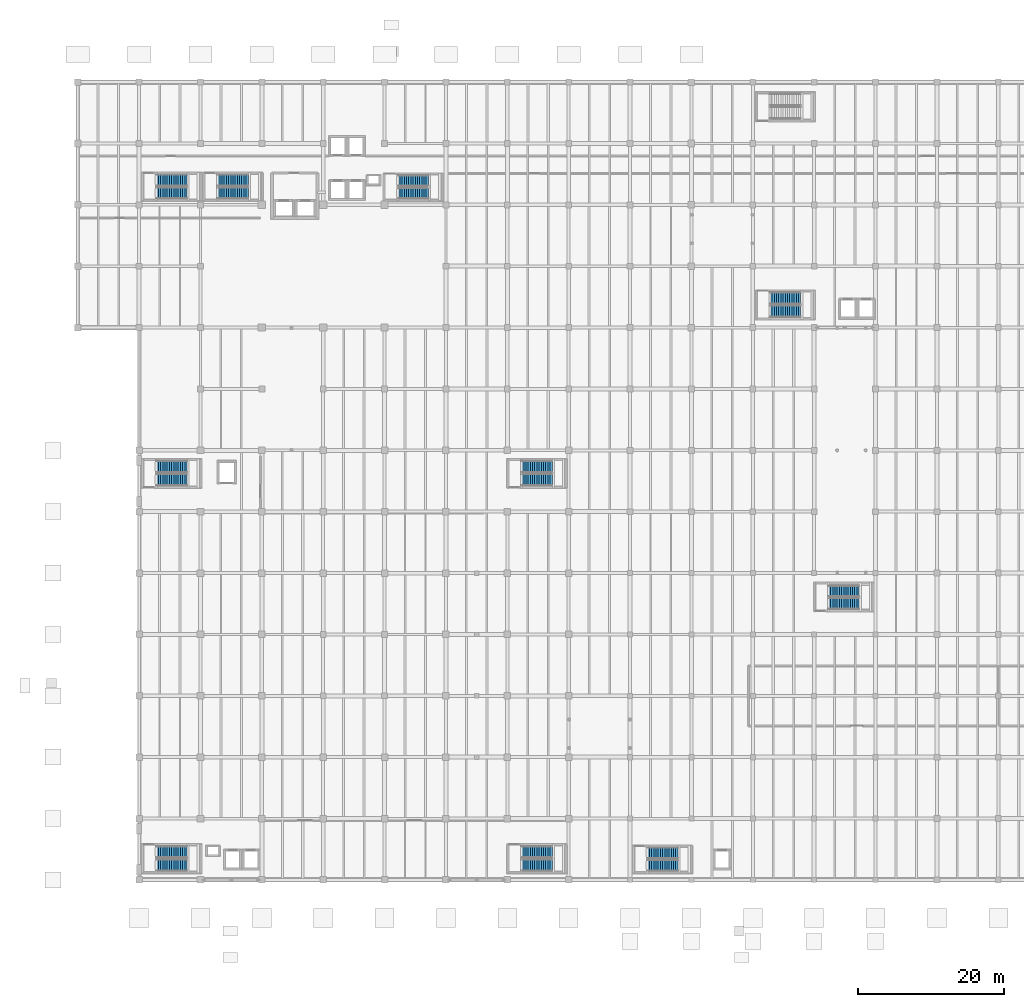
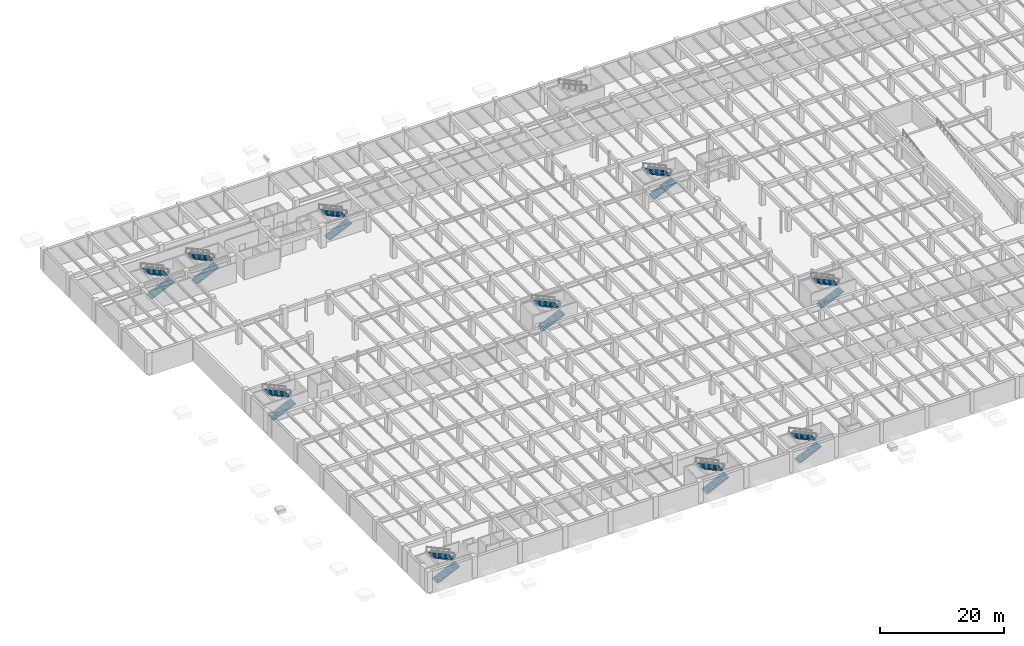
# One storey, part 49 of 63: 20 stair flights, 10 elements without a shape of their own.
"""IFC4 building model written with IfcOpenShell, lengths in metres."""

from ifc_helpers import new_model, si_unit, direction, frame, origin, place, context, subcontext, project, spatial, polyline, outline, extrude, material, type_object, element, aggregate, save


model = new_model("IFC4")

# Units and contexts
model_context = context("Model", 3, precision=1e-05, world=origin(), true_north=direction((0.0, 1.0)))
body_context = subcontext(model_context, "Body", "Model", "MODEL_VIEW")
ifc_project = project(units=[si_unit("LENGTHUNIT", "METRE"), si_unit("AREAUNIT", "SQUARE_METRE"), si_unit("VOLUMEUNIT", "CUBIC_METRE"), si_unit("PLANEANGLEUNIT", "RADIAN"), si_unit("MASSUNIT", "GRAM", prefix="KILO")], contexts=[model_context])

# Site, building, storey
site_placement = place(None, origin())
site = spatial("IfcSite", under=ifc_project, at=site_placement, CompositionType="ELEMENT")
building_placement = place(site_placement, origin())
building = spatial("IfcBuilding", under=site, at=building_placement, Name="Cumbredor Promenade Congress Hotel", CompositionType="ELEMENT")
storey_placement = place(building_placement, frame((0.0, 0.0, -4.199951171875)))
storey = spatial("IfcBuildingStorey", under=building, at=storey_placement, Name="B01", CompositionType="ELEMENT", Elevation=-4.199951171875)

# Stair, stair flights
ifc_material = material(Name="Concrete C40/50", Category="concrete")
stair_type_1 = type_object("IfcStairType", Name="Protected Dog-Leg Exit Stair ST-T1 1550mm", PredefinedType="HALF_TURN_STAIR", material=ifc_material)
stair_1_placement = place(storey_placement, origin())
stair_1 = element("IfcStair", 1, at=stair_1_placement, inside=storey, type_object=stair_type_1, Name="B01 Protected Exit Stair ST-03", PredefinedType="HALF_TURN_STAIR")
stair_flight_type_1 = type_object("IfcStairFlightType", Name="Concrete Stair Flight SFL-T1 1550mm", PredefinedType="STRAIGHT", material=ifc_material)
stair_flight_1_placement = place(storey_placement, frame((43.800048828125, 102.39501953125, 0.0), z_axis=(0.0, 0.0, 1.0), x_axis=(1.0, 0.0, 0.0)))
stair_flight_1 = element("IfcStairFlight", 2, at=stair_flight_1_placement, type_object=stair_flight_type_1, Name="ST-03 flight 1", NumberOfRisers=15, NumberOfTreads=14, PredefinedType="STRAIGHT", RiserHeight=0.14, TreadLength=0.3, context=body_context, shape_type="SweptSolid", body=[
    extrude(outline(polyline([(0.0, 0.0), (0.0, 0.139892578125), (0.300048828125, 0.139892578125), (0.300048828125, 0.280029296875), (0.60009765625, 0.280029296875), (0.60009765625, 0.419921875), (0.89990234375, 0.419921875), (0.89990234375, 0.56005859375), (1.199951171875, 0.56005859375), (1.199951171875, 0.699951171875), (1.5, 0.699951171875), (1.5, 0.840087890625), (1.800048828125, 0.840087890625), (1.800048828125, 0.97998046875), (2.10009765625, 0.97998046875), (2.10009765625, 1.1201171875), (2.39990234375, 1.1201171875), (2.39990234375, 1.260009765625), (2.699951171875, 1.260009765625), (2.699951171875, 1.39990234375), (3.0, 1.39990234375), (3.0, 1.5400390625), (3.300048828125, 1.5400390625), (3.300048828125, 1.679931640625), (3.60009765625, 1.679931640625), (3.60009765625, 1.820068359375), (3.89990234375, 1.820068359375), (3.89990234375, 1.9599609375), (4.199951171875, 1.9599609375), (4.199951171875, 2.10009765625), (4.199951171875, 1.761474609375), (0.425537109375, 0.0), (0.0, 0.0)])), frame((0.0, 0.77490234375, 0.0), z_axis=(0.0, -1.0, 0.0), x_axis=(1.0, 0.0, 0.0)), (0.0, 0.0, 1.0), 1.550048828125),
])
stair_flight_2_placement = place(storey_placement, frame((48.0, 104.094970703125, 2.099853515625), z_axis=(0.0, 0.0, 1.0), x_axis=(-1.0, 0.0, 0.0)))
stair_flight_2 = element("IfcStairFlight", 3, at=stair_flight_2_placement, type_object=stair_flight_type_1, Name="ST-03 flight 2", NumberOfRisers=15, NumberOfTreads=14, PredefinedType="STRAIGHT", RiserHeight=0.14, TreadLength=0.3, context=body_context, shape_type="SweptSolid", body=[
    extrude(outline(polyline([(0.0, 0.0), (0.0, 0.139892578125), (0.300048828125, 0.139892578125), (0.300048828125, 0.280029296875), (0.60009765625, 0.280029296875), (0.60009765625, 0.419921875), (0.89990234375, 0.419921875), (0.89990234375, 0.56005859375), (1.199951171875, 0.56005859375), (1.199951171875, 0.699951171875), (1.5, 0.699951171875), (1.5, 0.840087890625), (1.800048828125, 0.840087890625), (1.800048828125, 0.97998046875), (2.10009765625, 0.97998046875), (2.10009765625, 1.1201171875), (2.39990234375, 1.1201171875), (2.39990234375, 1.260009765625), (2.699951171875, 1.260009765625), (2.699951171875, 1.39990234375), (3.0, 1.39990234375), (3.0, 1.5400390625), (3.300048828125, 1.5400390625), (3.300048828125, 1.679931640625), (3.60009765625, 1.679931640625), (3.60009765625, 1.820068359375), (3.89990234375, 1.820068359375), (3.89990234375, 1.9599609375), (4.199951171875, 1.9599609375), (4.199951171875, 2.10009765625), (4.199951171875, 1.761474609375), (0.425537109375, 0.0), (0.0, 0.0)])), frame((0.0, 0.77490234375, 0.0), z_axis=(0.0, -1.0, 0.0), x_axis=(1.0, 0.0, 0.0)), (0.0, 0.0, 1.0), 1.550048828125),
])
aggregate(stair_1, [stair_flight_1, stair_flight_2])

stair_2_placement = place(storey_placement, origin())
stair_2 = element("IfcStair", 4, at=stair_2_placement, inside=storey, type_object=stair_type_1, Name="B01 Protected Exit Stair ST-11", PredefinedType="HALF_TURN_STAIR")
stair_flight_3_placement = place(storey_placement, frame((77.949951171875, 10.375, 0.0), z_axis=(0.0, 0.0, 1.0), x_axis=(1.0, 0.0, 0.0)))
stair_flight_3 = element("IfcStairFlight", 5, at=stair_flight_3_placement, type_object=stair_flight_type_1, Name="ST-11 flight 1", NumberOfRisers=15, NumberOfTreads=14, PredefinedType="STRAIGHT", RiserHeight=0.14, TreadLength=0.3, context=body_context, shape_type="SweptSolid", body=[
    extrude(outline(polyline([(0.0, 0.0), (0.0, 0.139892578125), (0.300048828125, 0.139892578125), (0.300048828125, 0.280029296875), (0.60009765625, 0.280029296875), (0.60009765625, 0.419921875), (0.89990234375, 0.419921875), (0.89990234375, 0.56005859375), (1.199951171875, 0.56005859375), (1.199951171875, 0.699951171875), (1.5, 0.699951171875), (1.5, 0.840087890625), (1.800048828125, 0.840087890625), (1.800048828125, 0.97998046875), (2.10009765625, 0.97998046875), (2.10009765625, 1.1201171875), (2.39990234375, 1.1201171875), (2.39990234375, 1.260009765625), (2.699951171875, 1.260009765625), (2.699951171875, 1.39990234375), (3.0, 1.39990234375), (3.0, 1.5400390625), (3.300048828125, 1.5400390625), (3.300048828125, 1.679931640625), (3.60009765625, 1.679931640625), (3.60009765625, 1.820068359375), (3.89990234375, 1.820068359375), (3.89990234375, 1.9599609375), (4.199951171875, 1.9599609375), (4.199951171875, 2.10009765625), (4.199951171875, 1.761474609375), (0.425537109375, 0.0), (0.0, 0.0)])), frame((0.0, 0.77490234375, 0.0), z_axis=(0.0, -1.0, 0.0), x_axis=(1.0, 0.0, 0.0)), (0.0, 0.0, 1.0), 1.550048828125),
])
stair_flight_4_placement = place(storey_placement, frame((82.14990234375, 12.074951171875, 2.099853515625), z_axis=(0.0, 0.0, 1.0), x_axis=(-1.0, 0.0, 0.0)))
stair_flight_4 = element("IfcStairFlight", 6, at=stair_flight_4_placement, type_object=stair_flight_type_1, Name="ST-11 flight 2", NumberOfRisers=15, NumberOfTreads=14, PredefinedType="STRAIGHT", RiserHeight=0.14, TreadLength=0.3, context=body_context, shape_type="SweptSolid", body=[
    extrude(outline(polyline([(0.0, 0.0), (0.0, 0.139892578125), (0.300048828125, 0.139892578125), (0.300048828125, 0.280029296875), (0.60009765625, 0.280029296875), (0.60009765625, 0.419921875), (0.89990234375, 0.419921875), (0.89990234375, 0.56005859375), (1.199951171875, 0.56005859375), (1.199951171875, 0.699951171875), (1.5, 0.699951171875), (1.5, 0.840087890625), (1.800048828125, 0.840087890625), (1.800048828125, 0.97998046875), (2.10009765625, 0.97998046875), (2.10009765625, 1.1201171875), (2.39990234375, 1.1201171875), (2.39990234375, 1.260009765625), (2.699951171875, 1.260009765625), (2.699951171875, 1.39990234375), (3.0, 1.39990234375), (3.0, 1.5400390625), (3.300048828125, 1.5400390625), (3.300048828125, 1.679931640625), (3.60009765625, 1.679931640625), (3.60009765625, 1.820068359375), (3.89990234375, 1.820068359375), (3.89990234375, 1.9599609375), (4.199951171875, 1.9599609375), (4.199951171875, 2.10009765625), (4.199951171875, 1.761474609375), (0.425537109375, 0.0), (0.0, 0.0)])), frame((0.0, 0.77490234375, 0.0), z_axis=(0.0, -1.0, 0.0), x_axis=(1.0, 0.0, 0.0)), (0.0, 0.0, 1.0), 1.550048828125),
])
aggregate(stair_2, [stair_flight_3, stair_flight_4])

stair_3_placement = place(storey_placement, origin())
stair_3 = element("IfcStair", 7, at=stair_3_placement, inside=storey, type_object=stair_type_1, Name="B01 Protected Exit Stair ST-12", PredefinedType="HALF_TURN_STAIR")
stair_flight_5_placement = place(storey_placement, frame((102.75, 46.22509765625, 0.0), z_axis=(0.0, 0.0, 1.0), x_axis=(1.0, 0.0, 0.0)))
stair_flight_5 = element("IfcStairFlight", 8, at=stair_flight_5_placement, type_object=stair_flight_type_1, Name="ST-12 flight 1", NumberOfRisers=15, NumberOfTreads=14, PredefinedType="STRAIGHT", RiserHeight=0.14, TreadLength=0.3, context=body_context, shape_type="SweptSolid", body=[
    extrude(outline(polyline([(0.0, 0.0), (0.0, 0.139892578125), (0.300048828125, 0.139892578125), (0.300048828125, 0.280029296875), (0.60009765625, 0.280029296875), (0.60009765625, 0.419921875), (0.89990234375, 0.419921875), (0.89990234375, 0.56005859375), (1.199951171875, 0.56005859375), (1.199951171875, 0.699951171875), (1.5, 0.699951171875), (1.5, 0.840087890625), (1.800048828125, 0.840087890625), (1.800048828125, 0.97998046875), (2.10009765625, 0.97998046875), (2.10009765625, 1.1201171875), (2.39990234375, 1.1201171875), (2.39990234375, 1.260009765625), (2.699951171875, 1.260009765625), (2.699951171875, 1.39990234375), (3.0, 1.39990234375), (3.0, 1.5400390625), (3.300048828125, 1.5400390625), (3.300048828125, 1.679931640625), (3.60009765625, 1.679931640625), (3.60009765625, 1.820068359375), (3.89990234375, 1.820068359375), (3.89990234375, 1.9599609375), (4.199951171875, 1.9599609375), (4.199951171875, 2.10009765625), (4.199951171875, 1.761474609375), (0.425537109375, 0.0), (0.0, 0.0)])), frame((0.0, 0.77490234375, 0.0), z_axis=(0.0, -1.0, 0.0), x_axis=(1.0, 0.0, 0.0)), (0.0, 0.0, 1.0), 1.550048828125),
])
stair_flight_6_placement = place(storey_placement, frame((106.949951171875, 47.925048828125, 2.099853515625), z_axis=(0.0, 0.0, 1.0), x_axis=(-1.0, 0.0, 0.0)))
stair_flight_6 = element("IfcStairFlight", 9, at=stair_flight_6_placement, type_object=stair_flight_type_1, Name="ST-12 flight 2", NumberOfRisers=15, NumberOfTreads=14, PredefinedType="STRAIGHT", RiserHeight=0.14, TreadLength=0.3, context=body_context, shape_type="SweptSolid", body=[
    extrude(outline(polyline([(0.0, 0.0), (0.0, 0.139892578125), (0.300048828125, 0.139892578125), (0.300048828125, 0.280029296875), (0.60009765625, 0.280029296875), (0.60009765625, 0.419921875), (0.89990234375, 0.419921875), (0.89990234375, 0.56005859375), (1.199951171875, 0.56005859375), (1.199951171875, 0.699951171875), (1.5, 0.699951171875), (1.5, 0.840087890625), (1.800048828125, 0.840087890625), (1.800048828125, 0.97998046875), (2.10009765625, 0.97998046875), (2.10009765625, 1.1201171875), (2.39990234375, 1.1201171875), (2.39990234375, 1.260009765625), (2.699951171875, 1.260009765625), (2.699951171875, 1.39990234375), (3.0, 1.39990234375), (3.0, 1.5400390625), (3.300048828125, 1.5400390625), (3.300048828125, 1.679931640625), (3.60009765625, 1.679931640625), (3.60009765625, 1.820068359375), (3.89990234375, 1.820068359375), (3.89990234375, 1.9599609375), (4.199951171875, 1.9599609375), (4.199951171875, 2.10009765625), (4.199951171875, 1.761474609375), (0.425537109375, 0.0), (0.0, 0.0)])), frame((0.0, 0.77490234375, 0.0), z_axis=(0.0, -1.0, 0.0), x_axis=(1.0, 0.0, 0.0)), (0.0, 0.0, 1.0), 1.550048828125),
])
aggregate(stair_3, [stair_flight_5, stair_flight_6])

stair_type_2 = type_object("IfcStairType", Name="Protected Dog-Leg Exit Stair ST-T2 1600mm", PredefinedType="HALF_TURN_STAIR", material=ifc_material)
stair_4_placement = place(storey_placement, origin())
stair_4 = element("IfcStair", 10, at=stair_4_placement, inside=storey, type_object=stair_type_2, Name="B01 Protected Exit Stair ST-01", PredefinedType="HALF_TURN_STAIR")
stair_flight_type_2 = type_object("IfcStairFlightType", Name="Concrete Stair Flight SFL-T2 1600mm", PredefinedType="STRAIGHT", material=ifc_material)
stair_flight_7_placement = place(storey_placement, frame((10.75, 102.419921875, 0.0), z_axis=(0.0, 0.0, 1.0), x_axis=(1.0, 0.0, 0.0)))
stair_flight_7 = element("IfcStairFlight", 11, at=stair_flight_7_placement, type_object=stair_flight_type_2, Name="ST-01 flight 1", NumberOfRisers=15, NumberOfTreads=14, PredefinedType="STRAIGHT", RiserHeight=0.14, TreadLength=0.3, context=body_context, shape_type="SweptSolid", body=[
    extrude(outline(polyline([(0.0, 0.0), (0.0, 0.139892578125), (0.300048828125, 0.139892578125), (0.300048828125, 0.280029296875), (0.60009765625, 0.280029296875), (0.60009765625, 0.419921875), (0.89990234375, 0.419921875), (0.89990234375, 0.56005859375), (1.199951171875, 0.56005859375), (1.199951171875, 0.699951171875), (1.5, 0.699951171875), (1.5, 0.840087890625), (1.800048828125, 0.840087890625), (1.800048828125, 0.97998046875), (2.10009765625, 0.97998046875), (2.10009765625, 1.1201171875), (2.39990234375, 1.1201171875), (2.39990234375, 1.260009765625), (2.699951171875, 1.260009765625), (2.699951171875, 1.39990234375), (3.0, 1.39990234375), (3.0, 1.5400390625), (3.300048828125, 1.5400390625), (3.300048828125, 1.679931640625), (3.60009765625, 1.679931640625), (3.60009765625, 1.820068359375), (3.89990234375, 1.820068359375), (3.89990234375, 1.9599609375), (4.199951171875, 1.9599609375), (4.199951171875, 2.10009765625), (4.199951171875, 1.761474609375), (0.425537109375, 0.0), (0.0, 0.0)])), frame((0.0, 0.800048828125, 0.0), z_axis=(0.0, -1.0, 0.0), x_axis=(1.0, 0.0, 0.0)), (0.0, 0.0, 1.0), 1.60009765625),
])
stair_flight_8_placement = place(storey_placement, frame((14.949951171875, 104.169921875, 2.099853515625), z_axis=(0.0, 0.0, 1.0), x_axis=(-1.0, 0.0, 0.0)))
stair_flight_8 = element("IfcStairFlight", 12, at=stair_flight_8_placement, type_object=stair_flight_type_2, Name="ST-01 flight 2", NumberOfRisers=15, NumberOfTreads=14, PredefinedType="STRAIGHT", RiserHeight=0.14, TreadLength=0.3, context=body_context, shape_type="SweptSolid", body=[
    extrude(outline(polyline([(0.0, 0.0), (0.0, 0.139892578125), (0.300048828125, 0.139892578125), (0.300048828125, 0.280029296875), (0.60009765625, 0.280029296875), (0.60009765625, 0.419921875), (0.89990234375, 0.419921875), (0.89990234375, 0.56005859375), (1.199951171875, 0.56005859375), (1.199951171875, 0.699951171875), (1.5, 0.699951171875), (1.5, 0.840087890625), (1.800048828125, 0.840087890625), (1.800048828125, 0.97998046875), (2.10009765625, 0.97998046875), (2.10009765625, 1.1201171875), (2.39990234375, 1.1201171875), (2.39990234375, 1.260009765625), (2.699951171875, 1.260009765625), (2.699951171875, 1.39990234375), (3.0, 1.39990234375), (3.0, 1.5400390625), (3.300048828125, 1.5400390625), (3.300048828125, 1.679931640625), (3.60009765625, 1.679931640625), (3.60009765625, 1.820068359375), (3.89990234375, 1.820068359375), (3.89990234375, 1.9599609375), (4.199951171875, 1.9599609375), (4.199951171875, 2.10009765625), (4.199951171875, 1.761474609375), (0.425537109375, 0.0), (0.0, 0.0)])), frame((0.0, 0.800048828125, 0.0), z_axis=(0.0, -1.0, 0.0), x_axis=(1.0, 0.0, 0.0)), (0.0, 0.0, 1.0), 1.60009765625),
])
aggregate(stair_4, [stair_flight_7, stair_flight_8])

stair_5_placement = place(storey_placement, origin())
stair_5 = element("IfcStair", 13, at=stair_5_placement, inside=storey, type_object=stair_type_2, Name="B01 Protected Exit Stair ST-02", PredefinedType="HALF_TURN_STAIR")
stair_flight_9_placement = place(storey_placement, frame((19.14990234375, 102.419921875, 0.0), z_axis=(0.0, 0.0, 1.0), x_axis=(1.0, 0.0, 0.0)))
stair_flight_9 = element("IfcStairFlight", 14, at=stair_flight_9_placement, type_object=stair_flight_type_2, Name="ST-02 flight 1", NumberOfRisers=15, NumberOfTreads=14, PredefinedType="STRAIGHT", RiserHeight=0.14, TreadLength=0.3, context=body_context, shape_type="SweptSolid", body=[
    extrude(outline(polyline([(0.0, 0.0), (0.0, 0.139892578125), (0.300048828125, 0.139892578125), (0.300048828125, 0.280029296875), (0.60009765625, 0.280029296875), (0.60009765625, 0.419921875), (0.89990234375, 0.419921875), (0.89990234375, 0.56005859375), (1.199951171875, 0.56005859375), (1.199951171875, 0.699951171875), (1.5, 0.699951171875), (1.5, 0.840087890625), (1.800048828125, 0.840087890625), (1.800048828125, 0.97998046875), (2.10009765625, 0.97998046875), (2.10009765625, 1.1201171875), (2.39990234375, 1.1201171875), (2.39990234375, 1.260009765625), (2.699951171875, 1.260009765625), (2.699951171875, 1.39990234375), (3.0, 1.39990234375), (3.0, 1.5400390625), (3.300048828125, 1.5400390625), (3.300048828125, 1.679931640625), (3.60009765625, 1.679931640625), (3.60009765625, 1.820068359375), (3.89990234375, 1.820068359375), (3.89990234375, 1.9599609375), (4.199951171875, 1.9599609375), (4.199951171875, 2.10009765625), (4.199951171875, 1.761474609375), (0.425537109375, 0.0), (0.0, 0.0)])), frame((0.0, 0.800048828125, 0.0), z_axis=(0.0, -1.0, 0.0), x_axis=(1.0, 0.0, 0.0)), (0.0, 0.0, 1.0), 1.60009765625),
])
stair_flight_10_placement = place(storey_placement, frame((23.35009765625, 104.169921875, 2.099853515625), z_axis=(0.0, 0.0, 1.0), x_axis=(-1.0, 0.0, 0.0)))
stair_flight_10 = element("IfcStairFlight", 15, at=stair_flight_10_placement, type_object=stair_flight_type_2, Name="ST-02 flight 2", NumberOfRisers=15, NumberOfTreads=14, PredefinedType="STRAIGHT", RiserHeight=0.14, TreadLength=0.3, context=body_context, shape_type="SweptSolid", body=[
    extrude(outline(polyline([(0.0, 0.0), (0.0, 0.139892578125), (0.300048828125, 0.139892578125), (0.300048828125, 0.280029296875), (0.60009765625, 0.280029296875), (0.60009765625, 0.419921875), (0.89990234375, 0.419921875), (0.89990234375, 0.56005859375), (1.199951171875, 0.56005859375), (1.199951171875, 0.699951171875), (1.5, 0.699951171875), (1.5, 0.840087890625), (1.800048828125, 0.840087890625), (1.800048828125, 0.97998046875), (2.10009765625, 0.97998046875), (2.10009765625, 1.1201171875), (2.39990234375, 1.1201171875), (2.39990234375, 1.260009765625), (2.699951171875, 1.260009765625), (2.699951171875, 1.39990234375), (3.0, 1.39990234375), (3.0, 1.5400390625), (3.300048828125, 1.5400390625), (3.300048828125, 1.679931640625), (3.60009765625, 1.679931640625), (3.60009765625, 1.820068359375), (3.89990234375, 1.820068359375), (3.89990234375, 1.9599609375), (4.199951171875, 1.9599609375), (4.199951171875, 2.10009765625), (4.199951171875, 1.761474609375), (0.425537109375, 0.0), (0.0, 0.0)])), frame((0.0, 0.800048828125, 0.0), z_axis=(0.0, -1.0, 0.0), x_axis=(1.0, 0.0, 0.0)), (0.0, 0.0, 1.0), 1.60009765625),
])
aggregate(stair_5, [stair_flight_9, stair_flight_10])

stair_type_3 = type_object("IfcStairType", Name="Protected Dog-Leg Exit Stair ST-T3 1650mm", PredefinedType="HALF_TURN_STAIR", material=ifc_material)
stair_6_placement = place(storey_placement, origin())
stair_6 = element("IfcStair", 16, at=stair_6_placement, inside=storey, type_object=stair_type_3, Name="B01 Protected Exit Stair ST-04", PredefinedType="HALF_TURN_STAIR")
stair_flight_type_3 = type_object("IfcStairFlightType", Name="Concrete Stair Flight SFL-T3 1650mm", PredefinedType="STRAIGHT", material=ifc_material)
stair_flight_11_placement = place(storey_placement, frame((10.75, 10.425048828125, 0.0), z_axis=(0.0, 0.0, 1.0), x_axis=(1.0, 0.0, 0.0)))
stair_flight_11 = element("IfcStairFlight", 17, at=stair_flight_11_placement, type_object=stair_flight_type_3, Name="ST-04 flight 1", NumberOfRisers=15, NumberOfTreads=14, PredefinedType="STRAIGHT", RiserHeight=0.14, TreadLength=0.3, context=body_context, shape_type="SweptSolid", body=[
    extrude(outline(polyline([(0.0, 0.0), (0.0, 0.139892578125), (0.300048828125, 0.139892578125), (0.300048828125, 0.280029296875), (0.60009765625, 0.280029296875), (0.60009765625, 0.419921875), (0.89990234375, 0.419921875), (0.89990234375, 0.56005859375), (1.199951171875, 0.56005859375), (1.199951171875, 0.699951171875), (1.5, 0.699951171875), (1.5, 0.840087890625), (1.800048828125, 0.840087890625), (1.800048828125, 0.97998046875), (2.10009765625, 0.97998046875), (2.10009765625, 1.1201171875), (2.39990234375, 1.1201171875), (2.39990234375, 1.260009765625), (2.699951171875, 1.260009765625), (2.699951171875, 1.39990234375), (3.0, 1.39990234375), (3.0, 1.5400390625), (3.300048828125, 1.5400390625), (3.300048828125, 1.679931640625), (3.60009765625, 1.679931640625), (3.60009765625, 1.820068359375), (3.89990234375, 1.820068359375), (3.89990234375, 1.9599609375), (4.199951171875, 1.9599609375), (4.199951171875, 2.10009765625), (4.199951171875, 1.761474609375), (0.425537109375, 0.0), (0.0, 0.0)])), frame((0.0, 0.824951171875, 0.0), z_axis=(0.0, -1.0, 0.0), x_axis=(1.0, 0.0, 0.0)), (0.0, 0.0, 1.0), 1.64990234375),
])
stair_flight_12_placement = place(storey_placement, frame((14.949951171875, 12.22509765625, 2.099853515625), z_axis=(0.0, 0.0, 1.0), x_axis=(-1.0, 0.0, 0.0)))
stair_flight_12 = element("IfcStairFlight", 18, at=stair_flight_12_placement, type_object=stair_flight_type_3, Name="ST-04 flight 2", NumberOfRisers=15, NumberOfTreads=14, PredefinedType="STRAIGHT", RiserHeight=0.14, TreadLength=0.3, context=body_context, shape_type="SweptSolid", body=[
    extrude(outline(polyline([(0.0, 0.0), (0.0, 0.139892578125), (0.300048828125, 0.139892578125), (0.300048828125, 0.280029296875), (0.60009765625, 0.280029296875), (0.60009765625, 0.419921875), (0.89990234375, 0.419921875), (0.89990234375, 0.56005859375), (1.199951171875, 0.56005859375), (1.199951171875, 0.699951171875), (1.5, 0.699951171875), (1.5, 0.840087890625), (1.800048828125, 0.840087890625), (1.800048828125, 0.97998046875), (2.10009765625, 0.97998046875), (2.10009765625, 1.1201171875), (2.39990234375, 1.1201171875), (2.39990234375, 1.260009765625), (2.699951171875, 1.260009765625), (2.699951171875, 1.39990234375), (3.0, 1.39990234375), (3.0, 1.5400390625), (3.300048828125, 1.5400390625), (3.300048828125, 1.679931640625), (3.60009765625, 1.679931640625), (3.60009765625, 1.820068359375), (3.89990234375, 1.820068359375), (3.89990234375, 1.9599609375), (4.199951171875, 1.9599609375), (4.199951171875, 2.10009765625), (4.199951171875, 1.761474609375), (0.425537109375, 0.0), (0.0, 0.0)])), frame((0.0, 0.824951171875, 0.0), z_axis=(0.0, -1.0, 0.0), x_axis=(1.0, 0.0, 0.0)), (0.0, 0.0, 1.0), 1.64990234375),
])
aggregate(stair_6, [stair_flight_11, stair_flight_12])

stair_7_placement = place(storey_placement, origin())
stair_7 = element("IfcStair", 19, at=stair_7_placement, inside=storey, type_object=stair_type_3, Name="B01 Protected Exit Stair ST-05", PredefinedType="HALF_TURN_STAIR")
stair_flight_13_placement = place(storey_placement, frame((60.75, 10.425048828125, 0.0), z_axis=(0.0, 0.0, 1.0), x_axis=(1.0, 0.0, 0.0)))
stair_flight_13 = element("IfcStairFlight", 20, at=stair_flight_13_placement, type_object=stair_flight_type_3, Name="ST-05 flight 1", NumberOfRisers=15, NumberOfTreads=14, PredefinedType="STRAIGHT", RiserHeight=0.14, TreadLength=0.3, context=body_context, shape_type="SweptSolid", body=[
    extrude(outline(polyline([(0.0, 0.0), (0.0, 0.139892578125), (0.300048828125, 0.139892578125), (0.300048828125, 0.280029296875), (0.60009765625, 0.280029296875), (0.60009765625, 0.419921875), (0.89990234375, 0.419921875), (0.89990234375, 0.56005859375), (1.199951171875, 0.56005859375), (1.199951171875, 0.699951171875), (1.5, 0.699951171875), (1.5, 0.840087890625), (1.800048828125, 0.840087890625), (1.800048828125, 0.97998046875), (2.10009765625, 0.97998046875), (2.10009765625, 1.1201171875), (2.39990234375, 1.1201171875), (2.39990234375, 1.260009765625), (2.699951171875, 1.260009765625), (2.699951171875, 1.39990234375), (3.0, 1.39990234375), (3.0, 1.5400390625), (3.300048828125, 1.5400390625), (3.300048828125, 1.679931640625), (3.60009765625, 1.679931640625), (3.60009765625, 1.820068359375), (3.89990234375, 1.820068359375), (3.89990234375, 1.9599609375), (4.199951171875, 1.9599609375), (4.199951171875, 2.10009765625), (4.199951171875, 1.761474609375), (0.425537109375, 0.0), (0.0, 0.0)])), frame((0.0, 0.824951171875, 0.0), z_axis=(0.0, -1.0, 0.0), x_axis=(1.0, 0.0, 0.0)), (0.0, 0.0, 1.0), 1.64990234375),
])
stair_flight_14_placement = place(storey_placement, frame((64.949951171875, 12.22509765625, 2.099853515625), z_axis=(0.0, 0.0, 1.0), x_axis=(-1.0, 0.0, 0.0)))
stair_flight_14 = element("IfcStairFlight", 21, at=stair_flight_14_placement, type_object=stair_flight_type_3, Name="ST-05 flight 2", NumberOfRisers=15, NumberOfTreads=14, PredefinedType="STRAIGHT", RiserHeight=0.14, TreadLength=0.3, context=body_context, shape_type="SweptSolid", body=[
    extrude(outline(polyline([(0.0, 0.0), (0.0, 0.139892578125), (0.300048828125, 0.139892578125), (0.300048828125, 0.280029296875), (0.60009765625, 0.280029296875), (0.60009765625, 0.419921875), (0.89990234375, 0.419921875), (0.89990234375, 0.56005859375), (1.199951171875, 0.56005859375), (1.199951171875, 0.699951171875), (1.5, 0.699951171875), (1.5, 0.840087890625), (1.800048828125, 0.840087890625), (1.800048828125, 0.97998046875), (2.10009765625, 0.97998046875), (2.10009765625, 1.1201171875), (2.39990234375, 1.1201171875), (2.39990234375, 1.260009765625), (2.699951171875, 1.260009765625), (2.699951171875, 1.39990234375), (3.0, 1.39990234375), (3.0, 1.5400390625), (3.300048828125, 1.5400390625), (3.300048828125, 1.679931640625), (3.60009765625, 1.679931640625), (3.60009765625, 1.820068359375), (3.89990234375, 1.820068359375), (3.89990234375, 1.9599609375), (4.199951171875, 1.9599609375), (4.199951171875, 2.10009765625), (4.199951171875, 1.761474609375), (0.425537109375, 0.0), (0.0, 0.0)])), frame((0.0, 0.824951171875, 0.0), z_axis=(0.0, -1.0, 0.0), x_axis=(1.0, 0.0, 0.0)), (0.0, 0.0, 1.0), 1.64990234375),
])
aggregate(stair_7, [stair_flight_13, stair_flight_14])

stair_8_placement = place(storey_placement, origin())
stair_8 = element("IfcStair", 22, at=stair_8_placement, inside=storey, type_object=stair_type_3, Name="B01 Protected Exit Stair ST-06", PredefinedType="HALF_TURN_STAIR")
stair_flight_15_placement = place(storey_placement, frame((10.75, 63.175048828125, 0.0), z_axis=(0.0, 0.0, 1.0), x_axis=(1.0, 0.0, 0.0)))
stair_flight_15 = element("IfcStairFlight", 23, at=stair_flight_15_placement, type_object=stair_flight_type_3, Name="ST-06 flight 1", NumberOfRisers=15, NumberOfTreads=14, PredefinedType="STRAIGHT", RiserHeight=0.14, TreadLength=0.3, context=body_context, shape_type="SweptSolid", body=[
    extrude(outline(polyline([(0.0, 0.0), (0.0, 0.139892578125), (0.300048828125, 0.139892578125), (0.300048828125, 0.280029296875), (0.60009765625, 0.280029296875), (0.60009765625, 0.419921875), (0.89990234375, 0.419921875), (0.89990234375, 0.56005859375), (1.199951171875, 0.56005859375), (1.199951171875, 0.699951171875), (1.5, 0.699951171875), (1.5, 0.840087890625), (1.800048828125, 0.840087890625), (1.800048828125, 0.97998046875), (2.10009765625, 0.97998046875), (2.10009765625, 1.1201171875), (2.39990234375, 1.1201171875), (2.39990234375, 1.260009765625), (2.699951171875, 1.260009765625), (2.699951171875, 1.39990234375), (3.0, 1.39990234375), (3.0, 1.5400390625), (3.300048828125, 1.5400390625), (3.300048828125, 1.679931640625), (3.60009765625, 1.679931640625), (3.60009765625, 1.820068359375), (3.89990234375, 1.820068359375), (3.89990234375, 1.9599609375), (4.199951171875, 1.9599609375), (4.199951171875, 2.10009765625), (4.199951171875, 1.761474609375), (0.425537109375, 0.0), (0.0, 0.0)])), frame((0.0, 0.824951171875, 0.0), z_axis=(0.0, -1.0, 0.0), x_axis=(1.0, 0.0, 0.0)), (0.0, 0.0, 1.0), 1.64990234375),
])
stair_flight_16_placement = place(storey_placement, frame((14.949951171875, 64.97509765625, 2.099853515625), z_axis=(0.0, 0.0, 1.0), x_axis=(-1.0, 0.0, 0.0)))
stair_flight_16 = element("IfcStairFlight", 24, at=stair_flight_16_placement, type_object=stair_flight_type_3, Name="ST-06 flight 2", NumberOfRisers=15, NumberOfTreads=14, PredefinedType="STRAIGHT", RiserHeight=0.14, TreadLength=0.3, context=body_context, shape_type="SweptSolid", body=[
    extrude(outline(polyline([(0.0, 0.0), (0.0, 0.139892578125), (0.300048828125, 0.139892578125), (0.300048828125, 0.280029296875), (0.60009765625, 0.280029296875), (0.60009765625, 0.419921875), (0.89990234375, 0.419921875), (0.89990234375, 0.56005859375), (1.199951171875, 0.56005859375), (1.199951171875, 0.699951171875), (1.5, 0.699951171875), (1.5, 0.840087890625), (1.800048828125, 0.840087890625), (1.800048828125, 0.97998046875), (2.10009765625, 0.97998046875), (2.10009765625, 1.1201171875), (2.39990234375, 1.1201171875), (2.39990234375, 1.260009765625), (2.699951171875, 1.260009765625), (2.699951171875, 1.39990234375), (3.0, 1.39990234375), (3.0, 1.5400390625), (3.300048828125, 1.5400390625), (3.300048828125, 1.679931640625), (3.60009765625, 1.679931640625), (3.60009765625, 1.820068359375), (3.89990234375, 1.820068359375), (3.89990234375, 1.9599609375), (4.199951171875, 1.9599609375), (4.199951171875, 2.10009765625), (4.199951171875, 1.761474609375), (0.425537109375, 0.0), (0.0, 0.0)])), frame((0.0, 0.824951171875, 0.0), z_axis=(0.0, -1.0, 0.0), x_axis=(1.0, 0.0, 0.0)), (0.0, 0.0, 1.0), 1.64990234375),
])
aggregate(stair_8, [stair_flight_15, stair_flight_16])

stair_9_placement = place(storey_placement, origin())
stair_9 = element("IfcStair", 25, at=stair_9_placement, inside=storey, type_object=stair_type_3, Name="B01 Protected Exit Stair ST-07", PredefinedType="HALF_TURN_STAIR")
stair_flight_17_placement = place(storey_placement, frame((60.75, 63.175048828125, 0.0), z_axis=(0.0, 0.0, 1.0), x_axis=(1.0, 0.0, 0.0)))
stair_flight_17 = element("IfcStairFlight", 26, at=stair_flight_17_placement, type_object=stair_flight_type_3, Name="ST-07 flight 1", NumberOfRisers=15, NumberOfTreads=14, PredefinedType="STRAIGHT", RiserHeight=0.14, TreadLength=0.3, context=body_context, shape_type="SweptSolid", body=[
    extrude(outline(polyline([(0.0, 0.0), (0.0, 0.139892578125), (0.300048828125, 0.139892578125), (0.300048828125, 0.280029296875), (0.60009765625, 0.280029296875), (0.60009765625, 0.419921875), (0.89990234375, 0.419921875), (0.89990234375, 0.56005859375), (1.199951171875, 0.56005859375), (1.199951171875, 0.699951171875), (1.5, 0.699951171875), (1.5, 0.840087890625), (1.800048828125, 0.840087890625), (1.800048828125, 0.97998046875), (2.10009765625, 0.97998046875), (2.10009765625, 1.1201171875), (2.39990234375, 1.1201171875), (2.39990234375, 1.260009765625), (2.699951171875, 1.260009765625), (2.699951171875, 1.39990234375), (3.0, 1.39990234375), (3.0, 1.5400390625), (3.300048828125, 1.5400390625), (3.300048828125, 1.679931640625), (3.60009765625, 1.679931640625), (3.60009765625, 1.820068359375), (3.89990234375, 1.820068359375), (3.89990234375, 1.9599609375), (4.199951171875, 1.9599609375), (4.199951171875, 2.10009765625), (4.199951171875, 1.761474609375), (0.425537109375, 0.0), (0.0, 0.0)])), frame((0.0, 0.824951171875, 0.0), z_axis=(0.0, -1.0, 0.0), x_axis=(1.0, 0.0, 0.0)), (0.0, 0.0, 1.0), 1.64990234375),
])
stair_flight_18_placement = place(storey_placement, frame((64.949951171875, 64.97509765625, 2.099853515625), z_axis=(0.0, 0.0, 1.0), x_axis=(-1.0, 0.0, 0.0)))
stair_flight_18 = element("IfcStairFlight", 27, at=stair_flight_18_placement, type_object=stair_flight_type_3, Name="ST-07 flight 2", NumberOfRisers=15, NumberOfTreads=14, PredefinedType="STRAIGHT", RiserHeight=0.14, TreadLength=0.3, context=body_context, shape_type="SweptSolid", body=[
    extrude(outline(polyline([(0.0, 0.0), (0.0, 0.139892578125), (0.300048828125, 0.139892578125), (0.300048828125, 0.280029296875), (0.60009765625, 0.280029296875), (0.60009765625, 0.419921875), (0.89990234375, 0.419921875), (0.89990234375, 0.56005859375), (1.199951171875, 0.56005859375), (1.199951171875, 0.699951171875), (1.5, 0.699951171875), (1.5, 0.840087890625), (1.800048828125, 0.840087890625), (1.800048828125, 0.97998046875), (2.10009765625, 0.97998046875), (2.10009765625, 1.1201171875), (2.39990234375, 1.1201171875), (2.39990234375, 1.260009765625), (2.699951171875, 1.260009765625), (2.699951171875, 1.39990234375), (3.0, 1.39990234375), (3.0, 1.5400390625), (3.300048828125, 1.5400390625), (3.300048828125, 1.679931640625), (3.60009765625, 1.679931640625), (3.60009765625, 1.820068359375), (3.89990234375, 1.820068359375), (3.89990234375, 1.9599609375), (4.199951171875, 1.9599609375), (4.199951171875, 2.10009765625), (4.199951171875, 1.761474609375), (0.425537109375, 0.0), (0.0, 0.0)])), frame((0.0, 0.824951171875, 0.0), z_axis=(0.0, -1.0, 0.0), x_axis=(1.0, 0.0, 0.0)), (0.0, 0.0, 1.0), 1.64990234375),
])
aggregate(stair_9, [stair_flight_17, stair_flight_18])

stair_10_placement = place(storey_placement, origin())
stair_10 = element("IfcStair", 28, at=stair_10_placement, inside=storey, type_object=stair_type_3, Name="B01 Protected Exit Stair ST-13", PredefinedType="HALF_TURN_STAIR")
stair_flight_19_placement = place(storey_placement, frame((94.75, 86.22509765625, 0.0), z_axis=(0.0, 0.0, 1.0), x_axis=(1.0, 0.0, 0.0)))
stair_flight_19 = element("IfcStairFlight", 29, at=stair_flight_19_placement, type_object=stair_flight_type_3, Name="ST-13 flight 1", NumberOfRisers=15, NumberOfTreads=14, PredefinedType="STRAIGHT", RiserHeight=0.14, TreadLength=0.3, context=body_context, shape_type="SweptSolid", body=[
    extrude(outline(polyline([(0.0, 0.0), (0.0, 0.139892578125), (0.300048828125, 0.139892578125), (0.300048828125, 0.280029296875), (0.60009765625, 0.280029296875), (0.60009765625, 0.419921875), (0.89990234375, 0.419921875), (0.89990234375, 0.56005859375), (1.199951171875, 0.56005859375), (1.199951171875, 0.699951171875), (1.5, 0.699951171875), (1.5, 0.840087890625), (1.800048828125, 0.840087890625), (1.800048828125, 0.97998046875), (2.10009765625, 0.97998046875), (2.10009765625, 1.1201171875), (2.39990234375, 1.1201171875), (2.39990234375, 1.260009765625), (2.699951171875, 1.260009765625), (2.699951171875, 1.39990234375), (3.0, 1.39990234375), (3.0, 1.5400390625), (3.300048828125, 1.5400390625), (3.300048828125, 1.679931640625), (3.60009765625, 1.679931640625), (3.60009765625, 1.820068359375), (3.89990234375, 1.820068359375), (3.89990234375, 1.9599609375), (4.199951171875, 1.9599609375), (4.199951171875, 2.10009765625), (4.199951171875, 1.761474609375), (0.425537109375, 0.0), (0.0, 0.0)])), frame((0.0, 0.824951171875, 0.0), z_axis=(0.0, -1.0, 0.0), x_axis=(1.0, 0.0, 0.0)), (0.0, 0.0, 1.0), 1.64990234375),
])
stair_flight_20_placement = place(storey_placement, frame((98.949951171875, 88.02490234375, 2.099853515625), z_axis=(0.0, 0.0, 1.0), x_axis=(-1.0, 0.0, 0.0)))
stair_flight_20 = element("IfcStairFlight", 30, at=stair_flight_20_placement, type_object=stair_flight_type_3, Name="ST-13 flight 2", NumberOfRisers=15, NumberOfTreads=14, PredefinedType="STRAIGHT", RiserHeight=0.14, TreadLength=0.3, context=body_context, shape_type="SweptSolid", body=[
    extrude(outline(polyline([(0.0, 0.0), (0.0, 0.139892578125), (0.300048828125, 0.139892578125), (0.300048828125, 0.280029296875), (0.60009765625, 0.280029296875), (0.60009765625, 0.419921875), (0.89990234375, 0.419921875), (0.89990234375, 0.56005859375), (1.199951171875, 0.56005859375), (1.199951171875, 0.699951171875), (1.5, 0.699951171875), (1.5, 0.840087890625), (1.800048828125, 0.840087890625), (1.800048828125, 0.97998046875), (2.10009765625, 0.97998046875), (2.10009765625, 1.1201171875), (2.39990234375, 1.1201171875), (2.39990234375, 1.260009765625), (2.699951171875, 1.260009765625), (2.699951171875, 1.39990234375), (3.0, 1.39990234375), (3.0, 1.5400390625), (3.300048828125, 1.5400390625), (3.300048828125, 1.679931640625), (3.60009765625, 1.679931640625), (3.60009765625, 1.820068359375), (3.89990234375, 1.820068359375), (3.89990234375, 1.9599609375), (4.199951171875, 1.9599609375), (4.199951171875, 2.10009765625), (4.199951171875, 1.761474609375), (0.425537109375, 0.0), (0.0, 0.0)])), frame((0.0, 0.824951171875, 0.0), z_axis=(0.0, -1.0, 0.0), x_axis=(1.0, 0.0, 0.0)), (0.0, 0.0, 1.0), 1.64990234375),
])
aggregate(stair_10, [stair_flight_19, stair_flight_20])

save(model, "model.ifc")
